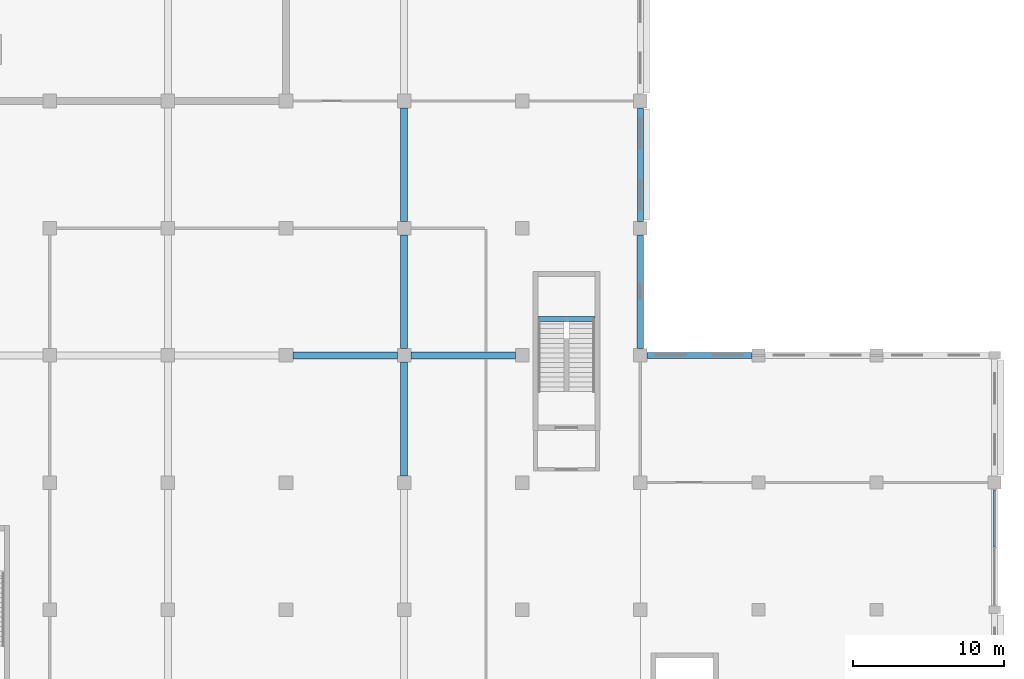
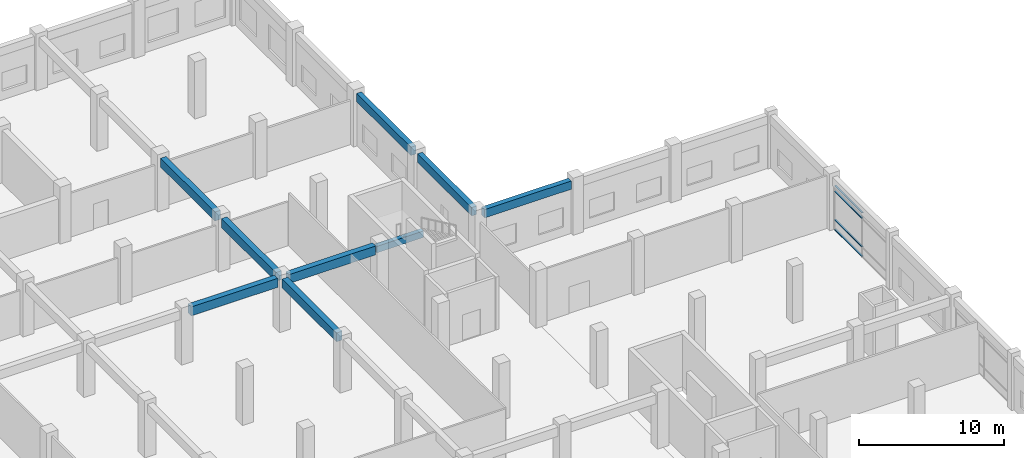
# One storey, part 46 of 79: 9 beams, 4 members, 1 element without a shape of its own.
"""IFC4 building model written with IfcOpenShell, lengths in metres."""

from ifc_helpers import new_model, si_unit, direction, frame, origin, origin_2d, place, context, subcontext, project, spatial, rectangle, hollow_rectangle, extrude, material, material_profile, profile_set, type_object, element, aggregate, save


model = new_model("IFC4")

# Units and contexts
model_context = context("Model", 3, precision=1e-05, world=origin(), true_north=direction((0.0, 1.0)))
body_context = subcontext(model_context, "Body", "Model", "MODEL_VIEW")
ifc_project = project(units=[si_unit("LENGTHUNIT", "METRE"), si_unit("AREAUNIT", "SQUARE_METRE"), si_unit("VOLUMEUNIT", "CUBIC_METRE"), si_unit("PLANEANGLEUNIT", "RADIAN"), si_unit("MASSUNIT", "GRAM", prefix="KILO"), si_unit("THERMODYNAMICTEMPERATUREUNIT", "KELVIN"), si_unit("POWERUNIT", "WATT")], contexts=[model_context])

# Site, building, storey
site_placement = place(None, origin())
site = spatial("IfcSite", under=ifc_project, at=site_placement, CompositionType="ELEMENT")
building_placement = place(site_placement, origin())
building = spatial("IfcBuilding", under=site, at=building_placement, Name="Srebrne Nadtorze General Hospital", CompositionType="ELEMENT")
storey_placement = place(building_placement, frame((0.0, 0.0, 4.800048828125)))
storey = spatial("IfcBuildingStorey", under=building, at=storey_placement, Name="L01", CompositionType="ELEMENT", Elevation=4.800048828125)

# Curtain wall, members
ifc_material_1 = material(Name="Anodised Aluminium", Category="aluminium")
curtain_wall_type = type_object("IfcCurtainWallType", Name="Unitised curtain wall 7725x3750", PredefinedType="NOTDEFINED", material=ifc_material_1)
curtain_wall_placement = place(storey_placement, origin())
curtain_wall = element("IfcCurtainWall", 1, at=curtain_wall_placement, inside=storey, type_object=curtain_wall_type, Name="Curtain wall CW-067", PredefinedType="NOTDEFINED")
ifc_material_2 = material(Name="Anodised Aluminium", Category="aluminium")
ifc_material_profile_1 = material_profile(ifc_material_2, hollow_rectangle(XDim=0.06494140625, YDim=0.139892578125, WallThickness=0.00390625, at=origin_2d()), Name="AL-TRN-65x140")
ifc_profile_set_1 = profile_set([ifc_material_profile_1], Name="Anodised Aluminium")
member_type = type_object("IfcMemberType", Name="Curtain transom 65x140", PredefinedType="USERDEFINED", material=ifc_profile_set_1)
member_1_placement = place(storey_placement, frame((171.60009765625, 62.945068359375, 0.032470703125), z_axis=(0.0, 1.0, 0.0), x_axis=(0.0, 0.0, 1.0)))
member_1 = element("IfcMember", 2, at=member_1_placement, type_object=member_type, Name="CW-067 transom 2.1", ObjectType="TRANSOM", PredefinedType="USERDEFINED", context=body_context, shape_type="SweptSolid", body=[
    extrude(hollow_rectangle(XDim=0.06494140625, YDim=0.139892578125, WallThickness=0.00390625, at=origin_2d()), origin(), (0.0, 0.0, 1.0), 3.764892578125),
])
member_2_placement = place(storey_placement, frame((171.60009765625, 62.945068359375, 0.849853515625), z_axis=(0.0, 1.0, 0.0), x_axis=(0.0, 0.0, 1.0)))
member_2 = element("IfcMember", 3, at=member_2_placement, type_object=member_type, Name="CW-067 transom 2.2", ObjectType="TRANSOM", PredefinedType="USERDEFINED", context=body_context, shape_type="SweptSolid", body=[
    extrude(hollow_rectangle(XDim=0.06494140625, YDim=0.139892578125, WallThickness=0.00390625, at=origin_2d()), origin(), (0.0, 0.0, 1.0), 3.764892578125),
])
member_3_placement = place(storey_placement, frame((171.60009765625, 62.945068359375, 3.25), z_axis=(0.0, 1.0, 0.0), x_axis=(0.0, 0.0, 1.0)))
member_3 = element("IfcMember", 4, at=member_3_placement, type_object=member_type, Name="CW-067 transom 2.3", ObjectType="TRANSOM", PredefinedType="USERDEFINED", context=body_context, shape_type="SweptSolid", body=[
    extrude(hollow_rectangle(XDim=0.06494140625, YDim=0.139892578125, WallThickness=0.00390625, at=origin_2d()), origin(), (0.0, 0.0, 1.0), 3.764892578125),
])
member_4_placement = place(storey_placement, frame((171.60009765625, 62.945068359375, 3.717529296875), z_axis=(0.0, 1.0, 0.0), x_axis=(0.0, 0.0, 1.0)))
member_4 = element("IfcMember", 5, at=member_4_placement, type_object=member_type, Name="CW-067 transom 2.4", ObjectType="TRANSOM", PredefinedType="USERDEFINED", context=body_context, shape_type="SweptSolid", body=[
    extrude(hollow_rectangle(XDim=0.06494140625, YDim=0.139892578125, WallThickness=0.00390625, at=origin_2d()), origin(), (0.0, 0.0, 1.0), 3.764892578125),
])
aggregate(curtain_wall, [member_1, member_2, member_3, member_4])

# Beams
ifc_material_3 = material(Name="Concrete C40/50", Category="concrete")
ifc_material_profile_2 = material_profile(ifc_material_3, rectangle(XDim=0.39990234375, YDim=0.699951171875, at=origin_2d()), Name="RC-BM-400x700")
ifc_profile_set_2 = profile_set([ifc_material_profile_2], Name="Concrete C40/50")
beam_type_1 = type_object("IfcBeamType", Name="Edge beam RC 400x700", PredefinedType="BEAM", material=ifc_profile_set_2)
beam_1_placement = place(storey_placement, frame((148.64990234375, 75.60009765625, 4.099853515625), z_axis=(1.0, 0.0, 0.0), x_axis=(0.0, 1.0, 0.0)))
element("IfcBeam", 6, at=beam_1_placement, inside=storey, type_object=beam_type_1, Name="Beam BM-L01-X-0443", PredefinedType="BEAM", context=body_context, shape_type="SweptSolid", body=[
    extrude(rectangle(XDim=0.39990234375, YDim=0.699951171875, at=origin_2d()), origin(), (0.0, 0.0, 1.0), 6.925048828125),
])
for number, where, z_axis, x_axis, name in (
    (7, (148.199951171875, 76.050048828125, 4.099853515625), (0.0, 1.0, 0.0), (-1.0, 0.0, 0.0), "Beam BM-L01-Y-0544"),
    (8, (148.199951171875, 84.449951171875, 4.099853515625), (0.0, 1.0, 0.0), (-1.0, 0.0, 0.0), "Beam BM-L01-Y-0545"),
):
    element("IfcBeam", number, at=place(storey_placement, frame(where, z_axis=z_axis, x_axis=x_axis)), inside=storey, type_object=beam_type_1, Name=name, PredefinedType="BEAM", context=body_context, shape_type="SweptSolid", body=[
        extrude(rectangle(XDim=0.39990234375, YDim=0.699951171875, at=origin_2d()), origin(), (0.0, 0.0, 1.0), 7.5),
    ])
ifc_material_4 = material(Name="Concrete C40/50", Category="concrete")
ifc_material_profile_3 = material_profile(ifc_material_4, rectangle(XDim=0.449951171875, YDim=0.75, at=origin_2d()), Name="RC-BM-450x750")
ifc_profile_set_3 = profile_set([ifc_material_profile_3], Name="Concrete C40/50")
beam_type_2 = type_object("IfcBeamType", Name="Primary beam RC 450x750", PredefinedType="BEAM", material=ifc_profile_set_3)
for number, where, z_axis, x_axis, name in (
    (9, (125.25, 75.60009765625, 4.074951171875), (1.0, 0.0, 0.0), (0.0, 1.0, 0.0), "Beam BM-L01-X-0441"),
    (10, (133.050048828125, 75.60009765625, 4.074951171875), (1.0, 0.0, 0.0), (0.0, 1.0, 0.0), "Beam BM-L01-X-0442"),
):
    element("IfcBeam", number, at=place(storey_placement, frame(where, z_axis=z_axis, x_axis=x_axis)), inside=storey, type_object=beam_type_2, Name=name, PredefinedType="BEAM", context=body_context, shape_type="SweptSolid", body=[
        extrude(rectangle(XDim=0.449951171875, YDim=0.75, at=origin_2d()), origin(), (0.0, 0.0, 1.0), 6.89990234375),
    ])
for number, where, z_axis, x_axis, name in (
    (11, (132.60009765625, 67.64990234375, 4.074951171875), (0.0, 1.0, 0.0), (-1.0, 0.0, 0.0), "Beam BM-L01-Y-0535"),
    (12, (132.60009765625, 76.050048828125, 4.074951171875), (0.0, 1.0, 0.0), (-1.0, 0.0, 0.0), "Beam BM-L01-Y-0536"),
    (13, (132.60009765625, 84.449951171875, 4.074951171875), (0.0, 1.0, 0.0), (-1.0, 0.0, 0.0), "Beam BM-L01-Y-0537"),
):
    element("IfcBeam", number, at=place(storey_placement, frame(where, z_axis=z_axis, x_axis=x_axis)), inside=storey, type_object=beam_type_2, Name=name, PredefinedType="BEAM", context=body_context, shape_type="SweptSolid", body=[
        extrude(rectangle(XDim=0.449951171875, YDim=0.75, at=origin_2d()), origin(), (0.0, 0.0, 1.0), 7.5),
    ])
ifc_material_5 = material(Name="Concrete C35/45", Category="concrete")
ifc_material_profile_4 = material_profile(ifc_material_5, rectangle(XDim=0.35009765625, YDim=0.550048828125, at=origin_2d()), Name="RC-BM-350x550")
ifc_profile_set_4 = profile_set([ifc_material_profile_4], Name="Concrete C35/45")
beam_type_3 = type_object("IfcBeamType", Name="Spandrel lintel beam RC 350x550", PredefinedType="LINTEL", material=ifc_profile_set_4)
beam_2_placement = place(storey_placement, frame((141.449951171875, 78.0, 2.125), z_axis=(1.0, 0.0, 0.0), x_axis=(0.0, 1.0, 0.0)))
element("IfcBeam", 14, at=beam_2_placement, inside=storey, type_object=beam_type_3, Name="Stair landing header beam ST-04 L01", PredefinedType="LINTEL", context=body_context, shape_type="SweptSolid", body=[
    extrude(rectangle(XDim=0.35009765625, YDim=0.550048828125, at=origin_2d()), origin(), (0.0, 0.0, 1.0), 3.75),
])

save(model, "model.ifc")
